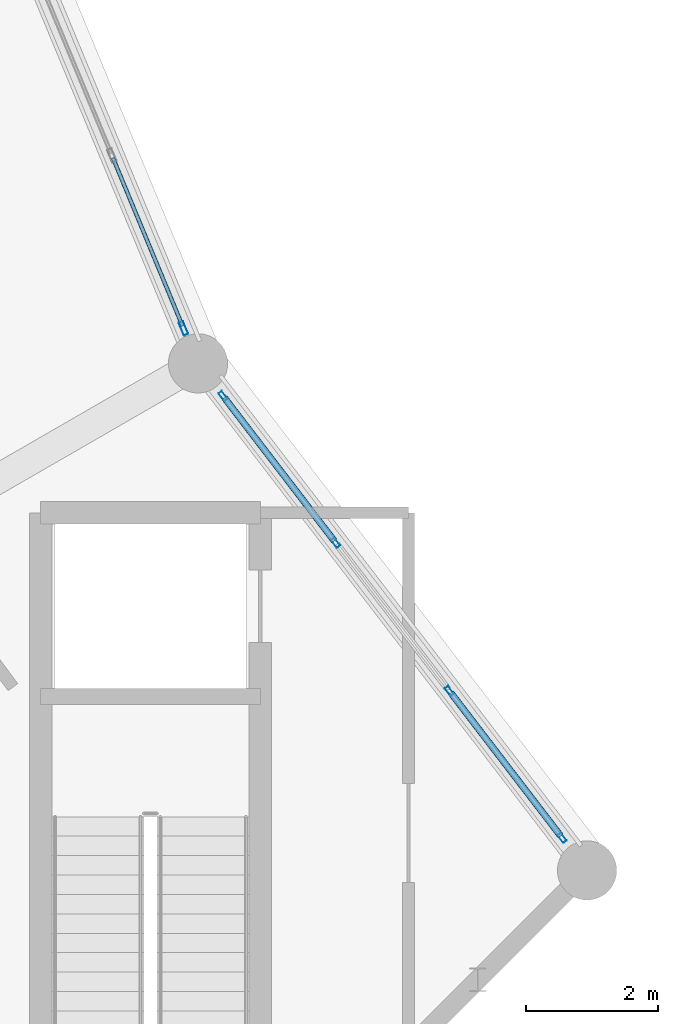
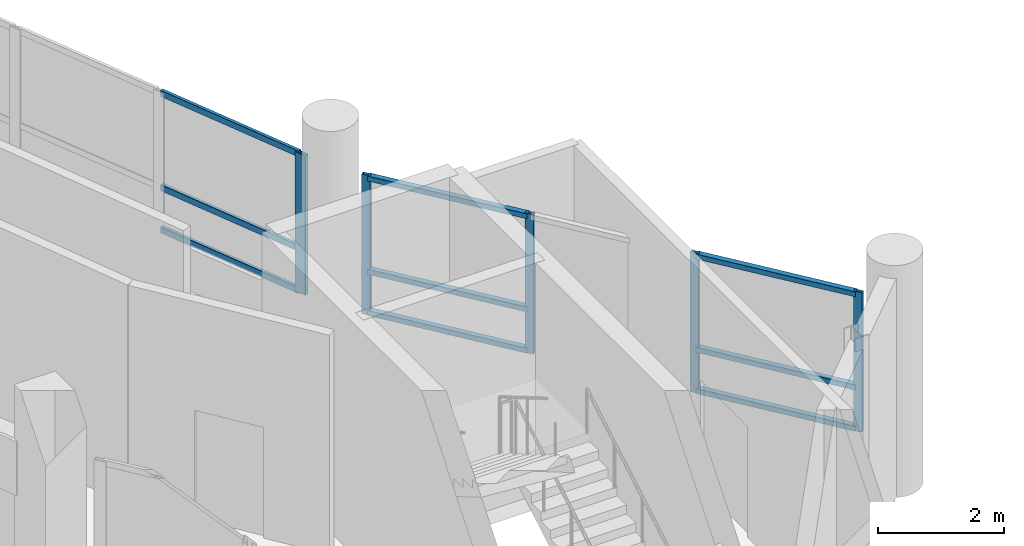
# One storey, part 30 of 129: 14 members, 2 elements without a shape of their own.
"""IFC4 building model written with IfcOpenShell, lengths in metres."""

import ifcopenshell
import ifcopenshell.guid

model = None  # the IFC model being written
_history = None  # IfcOwnerHistory: only IFC2X3 demands one
_inside = {}  # id of a spatial element -> (the spatial element, [elements in it])
_under = {}  # id of a project, library or spatial element -> (it, [spatial elements below it])
_declared = {}  # id of a project -> (the project, [libraries it declares])
_typed = {}  # id of a type object -> (the type object, [elements of that type])
_made_of = {}  # id of a material, layer set ... -> (it, [elements and type objects made of it])


def new_model(schema):
    """Start an empty IFC model of exactly this schema.

    Asked for "IFC4X3", IfcOpenShell would pick the latest addendum, in which some entities
    have other attributes; the version numbers below select the first issue.
    IFC2X3 requires an IfcOwnerHistory on every rooted entity: one is made here for all.
    """
    global model, _history
    if schema == "IFC4X3":
        model = ifcopenshell.file(schema_version=(4, 3, 0, 0))
    else:
        model = ifcopenshell.file(schema=schema)
    _inside.clear()
    _under.clear()
    _declared.clear()
    _typed.clear()
    _made_of.clear()
    _history = None
    if model.schema == "IFC2X3":
        org = make("IfcOrganization", Name="unknown")
        user = make(
            "IfcPersonAndOrganization",
            ThePerson=make("IfcPerson", FamilyName="unknown"),
            TheOrganization=org,
        )
        app = make(
            "IfcApplication",
            ApplicationDeveloper=org,
            Version="unknown",
            ApplicationFullName="unknown",
            ApplicationIdentifier="unknown",
        )
        _history = make(
            "IfcOwnerHistory",
            OwningUser=user,
            OwningApplication=app,
            ChangeAction="ADDED",
            CreationDate=0,
        )
    return model


def make(cls, **values):
    """One entity of the class cls with the attributes given. An attribute that is None is left unset."""
    return model.create_entity(
        cls, **{name: value for name, value in values.items() if value is not None}
    )


def rooted(cls, **values):
    """An entity with a GlobalId (a new one), such as an element, a storey or a relation."""
    return make(cls, GlobalId=ifcopenshell.guid.new(), OwnerHistory=_history, **values)


def si_unit(unit_type, name, prefix=None):
    """IfcSIUnit, for example si_unit("LENGTHUNIT", "METRE", prefix="MILLI")."""
    return make("IfcSIUnit", UnitType=unit_type, Prefix=prefix, Name=name)


def assignment(units):
    """IfcUnitAssignment: the units of a project."""
    return None if units is None else make("IfcUnitAssignment", Units=units)


def point(xyz):
    """IfcCartesianPoint."""
    return None if xyz is None else make("IfcCartesianPoint", Coordinates=xyz)


def direction(xyz):
    """IfcDirection."""
    return None if xyz is None else make("IfcDirection", DirectionRatios=xyz)


def frame(location, z_axis=None, x_axis=None):
    """IfcAxis2Placement3D, a coordinate frame: its origin and axes. An axis left out is left unset."""
    return make(
        "IfcAxis2Placement3D",
        Location=point(location),
        Axis=direction(z_axis),
        RefDirection=direction(x_axis),
    )


def frame_2d(location, x_axis=None):
    """IfcAxis2Placement2D, a coordinate frame in the plane: its origin and x axis."""
    return make(
        "IfcAxis2Placement2D", Location=point(location), RefDirection=direction(x_axis)
    )


def origin():
    """The frame at (0, 0, 0) with its axes left unset."""
    return frame((0.0, 0.0, 0.0))


def origin_2d():
    """The frame at (0, 0) in the plane with its x axis left unset."""
    return frame_2d((0.0, 0.0))


def place(relative_to, where):
    """IfcLocalPlacement: puts the frame where relative to a parent placement (None: the world)."""
    return make(
        "IfcLocalPlacement", PlacementRelTo=relative_to, RelativePlacement=where
    )


def context(
    kind, dimensions, precision=None, world=None, true_north=None, identifier=None
):
    """IfcGeometricRepresentationContext, for example the 3D "Model" context."""
    return make(
        "IfcGeometricRepresentationContext",
        ContextIdentifier=identifier,
        ContextType=kind,
        CoordinateSpaceDimension=dimensions,
        Precision=precision,
        WorldCoordinateSystem=world,
        TrueNorth=true_north,
    )


def subcontext(parent, identifier, kind, view, scale=None):
    """IfcGeometricRepresentationSubContext, for example "Body" below "Model"."""
    return make(
        "IfcGeometricRepresentationSubContext",
        ContextIdentifier=identifier,
        ContextType=kind,
        ParentContext=parent,
        TargetScale=scale,
        TargetView=view,
    )


def project(units=None, contexts=None):
    """IfcProject with its units and contexts."""
    return rooted(
        "IfcProject",
        Name="project",
        RepresentationContexts=contexts,
        UnitsInContext=assignment(units),
    )


def spatial(cls, under=None, at=None, **own):
    """A site, building, storey or space (cls), placed at a placement, below another one or the project."""
    s = rooted(cls, ObjectPlacement=at, **own)
    if under is not None:
        _under.setdefault(under.id(), (under, []))[1].append(s)
    return s


def profile(cls, at=None, kind="AREA", **sizes):
    """A parametric profile (cls). Its sizes go by their IFC names, for example OverallWidth=200.0."""
    return make(cls, ProfileType=kind, Position=at, **sizes)


def hollow_rectangle(**sizes):
    """IfcRectangleHollowProfileDef."""
    return profile("IfcRectangleHollowProfileDef", **sizes)


def extrude(swept, where, along, depth):
    """IfcExtrudedAreaSolid: the profile swept, set in the frame where, extruded along a direction by depth."""
    return make(
        "IfcExtrudedAreaSolid",
        SweptArea=swept,
        Position=where,
        ExtrudedDirection=direction(along),
        Depth=depth,
    )


def shape(context_of_items, identifier, shape_type, items):
    """IfcShapeRepresentation: the items that make up one representation, for example the "Body"."""
    return make(
        "IfcShapeRepresentation",
        ContextOfItems=context_of_items,
        RepresentationIdentifier=identifier,
        RepresentationType=shape_type,
        Items=items,
    )


def material(Name=None, Category=None):
    """IfcMaterial."""
    return make("IfcMaterial", Name=Name, Category=Category)


def layer(
    of_material, thickness, ventilated=None, Name=None, Category=None, Priority=None
):
    """IfcMaterialLayer: one layer of a wall or slab, of a material (None: an air gap)."""
    return make(
        "IfcMaterialLayer",
        Material=of_material,
        LayerThickness=thickness,
        IsVentilated=ventilated,
        Name=Name,
        Category=Category,
        Priority=Priority,
    )


def layer_set(layers, Name=None):
    """IfcMaterialLayerSet."""
    return make("IfcMaterialLayerSet", MaterialLayers=layers, LayerSetName=Name)


def material_profile(
    of_material, cross_section, Name=None, Category=None, Priority=None
):
    """IfcMaterialProfile: a cross section and its material."""
    return make(
        "IfcMaterialProfile",
        Name=Name,
        Material=of_material,
        Profile=cross_section,
        Priority=Priority,
        Category=Category,
    )


def profile_set(profiles, Name=None, composite=None):
    """IfcMaterialProfileSet."""
    return make(
        "IfcMaterialProfileSet",
        Name=Name,
        MaterialProfiles=profiles,
        CompositeProfile=composite,
    )


def made_of(thing, what):
    """Note that an element or type object is made of a material, layer set ...; save() writes the relation."""
    if what is not None:
        _made_of.setdefault(what.id(), (what, []))[1].append(thing)
    return thing


def type_object(cls, material=None, **own):
    """A type object (cls), such as IfcWallType, which elements share."""
    return made_of(rooted(cls, **own), material)


def element(
    cls,
    number,
    at=None,
    inside=None,
    cuts=None,
    type_object=None,
    material=None,
    context=None,
    identifier="Body",
    shape_type=None,
    held_by="IfcProductDefinitionShape",
    body=None,
    shapes=None,
    **own,
):
    """One element of the class cls, such as IfcWall. Its Tag is "e" and its number.

    at: its placement. inside: the storey or other place that contains it. cuts: it is an
    opening in that element (IfcRelVoidsElement). A single representation is given by context,
    identifier, shape_type and body (its items); several are given by shapes. held_by: the class
    of the entity that holds the representations. save() writes the other relations.
    """
    e = rooted(cls, Tag="e%d" % number, ObjectPlacement=at, **own)
    if body is not None:
        shapes = [shape(context, identifier, shape_type, body)]
    if shapes is not None:
        e.Representation = make(held_by, Representations=shapes)
    if inside is not None:
        _inside.setdefault(inside.id(), (inside, []))[1].append(e)
    if cuts is not None:
        rooted(
            "IfcRelVoidsElement", RelatingBuildingElement=cuts, RelatedOpeningElement=e
        )
    if type_object is not None:
        _typed.setdefault(type_object.id(), (type_object, []))[1].append(e)
    return made_of(e, material)


def aggregate(whole, parts):
    """IfcRelAggregates: a whole, such as a stair, and the parts it consists of."""
    return rooted("IfcRelAggregates", RelatingObject=whole, RelatedObjects=parts)


def save(model, path):
    """Write the relations noted so far, then the file.

    IfcRelAggregates (storeys below a building ...), IfcRelContainedInSpatialStructure (elements
    in a storey), IfcRelDefinesByType, IfcRelAssociatesMaterial and IfcRelDeclares: one each for
    every whole, place, type object, material and project.
    """
    for whole, parts in _under.values():
        aggregate(whole, parts)
    for where, things in _inside.values():
        rooted(
            "IfcRelContainedInSpatialStructure",
            RelatedElements=things,
            RelatingStructure=where,
        )
    for kind, things in _typed.values():
        rooted("IfcRelDefinesByType", RelatedObjects=things, RelatingType=kind)
    for what, things in _made_of.values():
        rooted("IfcRelAssociatesMaterial", RelatedObjects=things, RelatingMaterial=what)
    for by, libraries in _declared.values():
        rooted("IfcRelDeclares", RelatingContext=by, RelatedDefinitions=libraries)
    model.write(path)


model = new_model("IFC4")

# Units and contexts
model_context = context("Model", 3, precision=1e-05, world=origin(), true_north=direction((0.0, 1.0)))
body_context = subcontext(model_context, "Body", "Model", "MODEL_VIEW")
ifc_project = project(units=[si_unit("LENGTHUNIT", "METRE"), si_unit("AREAUNIT", "SQUARE_METRE"), si_unit("VOLUMEUNIT", "CUBIC_METRE"), si_unit("PLANEANGLEUNIT", "RADIAN"), si_unit("MASSUNIT", "GRAM", prefix="KILO")], contexts=[model_context])

# Site, building, storey
site_placement = place(None, origin())
site = spatial("IfcSite", under=ifc_project, at=site_placement, CompositionType="ELEMENT")
building_placement = place(site_placement, origin())
building = spatial("IfcBuilding", under=site, at=building_placement, Name="Vespera Passage Community Centre", CompositionType="ELEMENT")
storey_placement = place(building_placement, origin())
storey = spatial("IfcBuildingStorey", under=building, at=storey_placement, Name="L00", CompositionType="ELEMENT", Elevation=0.0)

# Curtain wall, members
ifc_material_1 = material(Name="Anodized aluminium 6063-T6", Category="aluminium")
ifc_layer_1 = layer(ifc_material_1, 0.159912109375)
ifc_layer_set_1 = layer_set([ifc_layer_1], Name="Anodized aluminium 6063-T6")
curtain_wall_type_1 = type_object("IfcCurtainWallType", Name="CW-05E", PredefinedType="NOTDEFINED", material=ifc_layer_set_1)
curtain_wall_1_placement = place(storey_placement, origin())
curtain_wall_1 = element("IfcCurtainWall", 1, at=curtain_wall_1_placement, inside=storey, type_object=curtain_wall_type_1, Name="V4 L00 Inner Court Curtain Wall 14", PredefinedType="NOTDEFINED")
ifc_material_2 = material(Name="Anodized aluminium 6063-T6", Category="aluminium")
ifc_material_profile_1 = material_profile(ifc_material_2, hollow_rectangle(XDim=0.06494140625, YDim=0.14990234375, WallThickness=0.00390625, InnerFilletRadius=0.001953125, OuterFilletRadius=0.00390625, at=origin_2d()), Name="ALU150X65X4")
ifc_profile_set_1 = profile_set([ifc_material_profile_1], Name="Anodized aluminium 6063-T6")
member_type_1 = type_object("IfcMemberType", Name="MB-CWM-150E", PredefinedType="MULLION", material=ifc_profile_set_1)
member_1_placement = place(storey_placement, frame((46.164794921875, 46.403564453125, 0.820068359375), z_axis=(0.0, 0.0, 1.0), x_axis=(0.793358205999, 0.608755087843, 0.0)))
member_1 = element("IfcMember", 2, at=member_1_placement, type_object=member_type_1, Name="CW-05E mullion 1", PredefinedType="MULLION", context=body_context, shape_type="SweptSolid", body=[
    extrude(hollow_rectangle(XDim=0.06494140625, YDim=0.14990234375, WallThickness=0.00390625, InnerFilletRadius=0.001953125, OuterFilletRadius=0.00390625, at=origin_2d()), origin(), (0.0, 0.0, 1.0), 2.709228515625),
])
member_2_placement = place(storey_placement, frame((47.874755859375, 44.175048828125, 0.820068359375), z_axis=(0.0, 0.0, 1.0), x_axis=(0.793358205999, 0.608755087843, 0.0)))
member_2 = element("IfcMember", 3, at=member_2_placement, type_object=member_type_1, Name="CW-05E mullion 2", PredefinedType="MULLION", context=body_context, shape_type="SweptSolid", body=[
    extrude(hollow_rectangle(XDim=0.06494140625, YDim=0.14990234375, WallThickness=0.00390625, InnerFilletRadius=0.001953125, OuterFilletRadius=0.00390625, at=origin_2d()), origin(), (0.0, 0.0, 1.0), 2.709228515625),
])
member_3_placement = place(storey_placement, frame((49.604736328125, 41.920654296875, 0.820068359375), z_axis=(0.0, 0.0, 1.0), x_axis=(0.793358205999, 0.608755087843, 0.0)))
member_3 = element("IfcMember", 4, at=member_3_placement, type_object=member_type_1, Name="CW-05E mullion 3", PredefinedType="MULLION", context=body_context, shape_type="SweptSolid", body=[
    extrude(hollow_rectangle(XDim=0.06494140625, YDim=0.14990234375, WallThickness=0.00390625, InnerFilletRadius=0.001953125, OuterFilletRadius=0.00390625, at=origin_2d()), origin(), (0.0, 0.0, 1.0), 2.709228515625),
])
member_4_placement = place(storey_placement, frame((51.314697265625, 39.69189453125, 0.820068359375), z_axis=(0.0, 0.0, 1.0), x_axis=(0.793358205999, 0.608755087843, 0.0)))
member_4 = element("IfcMember", 5, at=member_4_placement, type_object=member_type_1, Name="CW-05E mullion 4", PredefinedType="MULLION", context=body_context, shape_type="SweptSolid", body=[
    extrude(hollow_rectangle(XDim=0.06494140625, YDim=0.14990234375, WallThickness=0.00390625, InnerFilletRadius=0.001953125, OuterFilletRadius=0.00390625, at=origin_2d()), origin(), (0.0, 0.0, 1.0), 2.709228515625),
])

# Curtain wall, member
ifc_material_3 = material(Name="Anodized aluminium 6063-T6", Category="aluminium")
ifc_layer_2 = layer(ifc_material_3, 0.159912109375)
ifc_layer_set_2 = layer_set([ifc_layer_2], Name="Anodized aluminium 6063-T6")
curtain_wall_type_2 = type_object("IfcCurtainWallType", Name="CW-02E", PredefinedType="NOTDEFINED", material=ifc_layer_set_2)
curtain_wall_2_placement = place(storey_placement, origin())
curtain_wall_2 = element("IfcCurtainWall", 6, at=curtain_wall_2_placement, inside=storey, type_object=curtain_wall_type_2, Name="V4 L00 Inner Court Curtain Wall 13", PredefinedType="NOTDEFINED")
ifc_material_4 = material(Name="Anodized aluminium 6063-T6", Category="aluminium")
ifc_material_profile_2 = material_profile(ifc_material_4, hollow_rectangle(XDim=0.074951171875, YDim=0.2099609375, WallThickness=0.0048828125, InnerFilletRadius=0.00244140625, OuterFilletRadius=0.0048828125, at=origin_2d()), Name="ALU210X75X5")
ifc_profile_set_2 = profile_set([ifc_material_profile_2], Name="Anodized aluminium 6063-T6")
member_type_2 = type_object("IfcMemberType", Name="MB-CWM-210E", PredefinedType="MULLION", material=ifc_profile_set_2)
member_5_placement = place(storey_placement, frame((45.56298828125, 47.433349609375, 0.820068359375), z_axis=(0.0, 0.0, 1.0), x_axis=(0.923876620096, 0.382690463482, 0.0)))
member_5 = element("IfcMember", 7, at=member_5_placement, type_object=member_type_2, Name="CW-02E mullion 4", PredefinedType="MULLION", context=body_context, shape_type="SweptSolid", body=[
    extrude(hollow_rectangle(XDim=0.074951171875, YDim=0.2099609375, WallThickness=0.0048828125, InnerFilletRadius=0.00244140625, OuterFilletRadius=0.0048828125, at=origin_2d()), origin(), (0.0, 0.0, 1.0), 2.709228515625),
])

# Member
ifc_material_5 = material(Name="Anodized aluminium 6063-T6", Category="aluminium")
ifc_material_profile_3 = material_profile(ifc_material_5, hollow_rectangle(XDim=0.10009765625, YDim=0.10009765625, WallThickness=0.00390625, InnerFilletRadius=0.001953125, OuterFilletRadius=0.00390625, at=origin_2d()), Name="ALU100X100X4")
ifc_profile_set_3 = profile_set([ifc_material_profile_3], Name="Anodized aluminium 6063-T6")
member_type_3 = type_object("IfcMemberType", Name="MB-CWT-100E", PredefinedType="USERDEFINED", material=ifc_profile_set_3)
member_6_placement = place(storey_placement, frame((46.1845703125, 46.3779296875, 0.8701171875), z_axis=(0.608704195162, -0.793397254086, 0.0), x_axis=(0.793397254086, 0.608704195162, 0.0)))
member_6 = element("IfcMember", 8, at=member_6_placement, type_object=member_type_3, Name="CW-05E transom 1.1", ObjectType="TRANSOM", PredefinedType="USERDEFINED", context=body_context, shape_type="SweptSolid", body=[
    extrude(hollow_rectangle(XDim=0.10009765625, YDim=0.10009765625, WallThickness=0.00390625, InnerFilletRadius=0.001953125, OuterFilletRadius=0.00390625, at=origin_2d()), origin(), (0.0, 0.0, 1.0), 2.744140625),
])

member_7_placement = place(storey_placement, frame((46.1845703125, 46.3779296875, 1.669921875), z_axis=(0.608704195162, -0.793397254086, 0.0), x_axis=(0.793397254086, 0.608704195162, 0.0)))
member_7 = element("IfcMember", 9, at=member_7_placement, type_object=member_type_3, Name="CW-05E transom 1.2", ObjectType="TRANSOM", PredefinedType="USERDEFINED", context=body_context, shape_type="SweptSolid", body=[
    extrude(hollow_rectangle(XDim=0.10009765625, YDim=0.10009765625, WallThickness=0.00390625, InnerFilletRadius=0.001953125, OuterFilletRadius=0.00390625, at=origin_2d()), origin(), (0.0, 0.0, 1.0), 2.744140625),
])

member_8_placement = place(storey_placement, frame((46.1845703125, 46.3779296875, 3.4794921875), z_axis=(0.608704195162, -0.793397254086, 0.0), x_axis=(0.793397254086, 0.608704195162, 0.0)))
member_8 = element("IfcMember", 10, at=member_8_placement, type_object=member_type_3, Name="CW-05E transom 1.3", ObjectType="TRANSOM", PredefinedType="USERDEFINED", context=body_context, shape_type="SweptSolid", body=[
    extrude(hollow_rectangle(XDim=0.10009765625, YDim=0.10009765625, WallThickness=0.00390625, InnerFilletRadius=0.001953125, OuterFilletRadius=0.00390625, at=origin_2d()), origin(), (0.0, 0.0, 1.0), 2.744140625),
])

member_9_placement = place(storey_placement, frame((49.62451171875, 41.894775390625, 0.8701171875), z_axis=(0.608747162837, -0.793364286906, 0.0), x_axis=(0.793364286906, 0.608747162837, 0.0)))
member_9 = element("IfcMember", 11, at=member_9_placement, type_object=member_type_3, Name="CW-05E transom 3.1", ObjectType="TRANSOM", PredefinedType="USERDEFINED", context=body_context, shape_type="SweptSolid", body=[
    extrude(hollow_rectangle(XDim=0.10009765625, YDim=0.10009765625, WallThickness=0.00390625, InnerFilletRadius=0.001953125, OuterFilletRadius=0.00390625, at=origin_2d()), origin(), (0.0, 0.0, 1.0), 2.743896484375),
])

member_10_placement = place(storey_placement, frame((49.62451171875, 41.894775390625, 1.669921875), z_axis=(0.608747162837, -0.793364286906, 0.0), x_axis=(0.793364286906, 0.608747162837, 0.0)))
member_10 = element("IfcMember", 12, at=member_10_placement, type_object=member_type_3, Name="CW-05E transom 3.2", ObjectType="TRANSOM", PredefinedType="USERDEFINED", context=body_context, shape_type="SweptSolid", body=[
    extrude(hollow_rectangle(XDim=0.10009765625, YDim=0.10009765625, WallThickness=0.00390625, InnerFilletRadius=0.001953125, OuterFilletRadius=0.00390625, at=origin_2d()), origin(), (0.0, 0.0, 1.0), 2.743896484375),
])

member_11_placement = place(storey_placement, frame((49.62451171875, 41.894775390625, 3.4794921875), z_axis=(0.608747162837, -0.793364286906, 0.0), x_axis=(0.793364286906, 0.608747162837, 0.0)))
member_11 = element("IfcMember", 13, at=member_11_placement, type_object=member_type_3, Name="CW-05E transom 3.3", ObjectType="TRANSOM", PredefinedType="USERDEFINED", context=body_context, shape_type="SweptSolid", body=[
    extrude(hollow_rectangle(XDim=0.10009765625, YDim=0.10009765625, WallThickness=0.00390625, InnerFilletRadius=0.001953125, OuterFilletRadius=0.00390625, at=origin_2d()), origin(), (0.0, 0.0, 1.0), 2.743896484375),
])

aggregate(curtain_wall_1, [member_1, member_2, member_3, member_4, member_6, member_7, member_8, member_9, member_10, member_11])

ifc_material_6 = material(Name="Anodized aluminium 6063-T6", Category="aluminium")
ifc_material_profile_4 = material_profile(ifc_material_6, hollow_rectangle(XDim=0.06005859375, YDim=0.1201171875, WallThickness=0.00390625, InnerFilletRadius=0.001953125, OuterFilletRadius=0.00390625, at=origin_2d()), Name="ALU120X60X4")
ifc_profile_set_4 = profile_set([ifc_material_profile_4], Name="Anodized aluminium 6063-T6")
member_type_4 = type_object("IfcMemberType", Name="MB-CWT-120E", PredefinedType="USERDEFINED", material=ifc_profile_set_4)
member_12_placement = place(storey_placement, frame((44.49072265625, 50.022216796875, 0.85009765625), z_axis=(0.382614353701, -0.923908142805, 0.0), x_axis=(0.923908142805, 0.382614353701, 0.0)))
member_12 = element("IfcMember", 14, at=member_12_placement, type_object=member_type_4, Name="CW-02E transom 3.1", ObjectType="TRANSOM", PredefinedType="USERDEFINED", context=body_context, shape_type="SweptSolid", body=[
    extrude(hollow_rectangle(XDim=0.06005859375, YDim=0.1201171875, WallThickness=0.00390625, InnerFilletRadius=0.001953125, OuterFilletRadius=0.00390625, at=origin_2d()), origin(), (0.0, 0.0, 1.0), 2.764892578125),
])

member_13_placement = place(storey_placement, frame((44.49072265625, 50.022216796875, 1.669921875), z_axis=(0.382614353701, -0.923908142805, 0.0), x_axis=(0.923908142805, 0.382614353701, 0.0)))
member_13 = element("IfcMember", 15, at=member_13_placement, type_object=member_type_4, Name="CW-02E transom 3.2", ObjectType="TRANSOM", PredefinedType="USERDEFINED", context=body_context, shape_type="SweptSolid", body=[
    extrude(hollow_rectangle(XDim=0.06005859375, YDim=0.1201171875, WallThickness=0.00390625, InnerFilletRadius=0.001953125, OuterFilletRadius=0.00390625, at=origin_2d()), origin(), (0.0, 0.0, 1.0), 2.764892578125),
])

member_14_placement = place(storey_placement, frame((44.49072265625, 50.022216796875, 3.49951171875), z_axis=(0.382614353701, -0.923908142805, 0.0), x_axis=(0.923908142805, 0.382614353701, 0.0)))
member_14 = element("IfcMember", 16, at=member_14_placement, type_object=member_type_4, Name="CW-02E transom 3.3", ObjectType="TRANSOM", PredefinedType="USERDEFINED", context=body_context, shape_type="SweptSolid", body=[
    extrude(hollow_rectangle(XDim=0.06005859375, YDim=0.1201171875, WallThickness=0.00390625, InnerFilletRadius=0.001953125, OuterFilletRadius=0.00390625, at=origin_2d()), origin(), (0.0, 0.0, 1.0), 2.764892578125),
])

aggregate(curtain_wall_2, [member_5, member_12, member_13, member_14])

save(model, "model.ifc")
